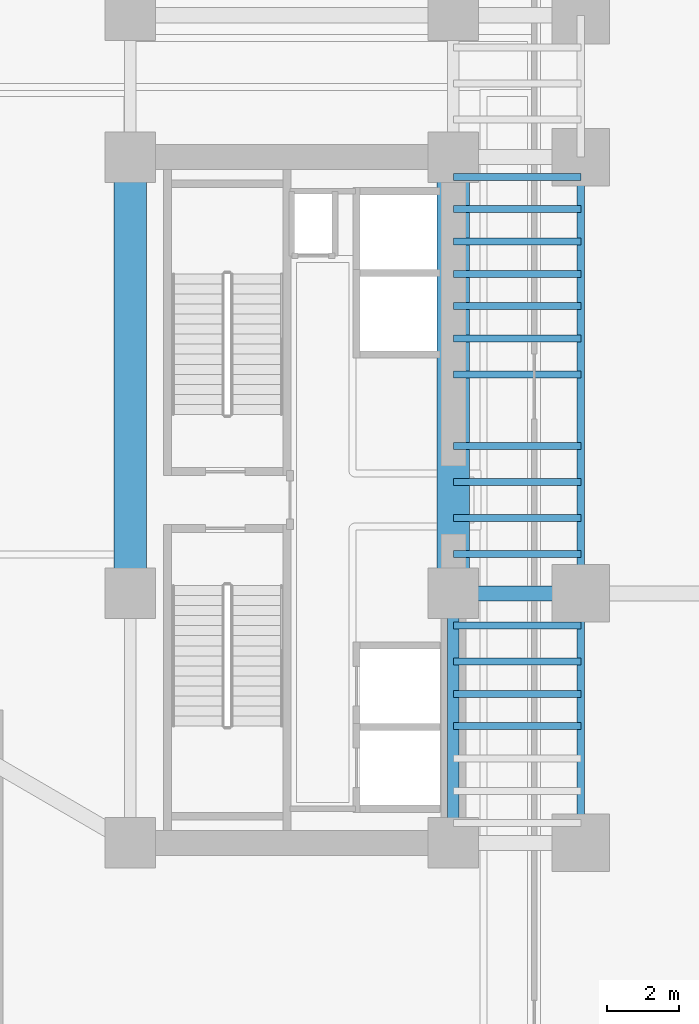
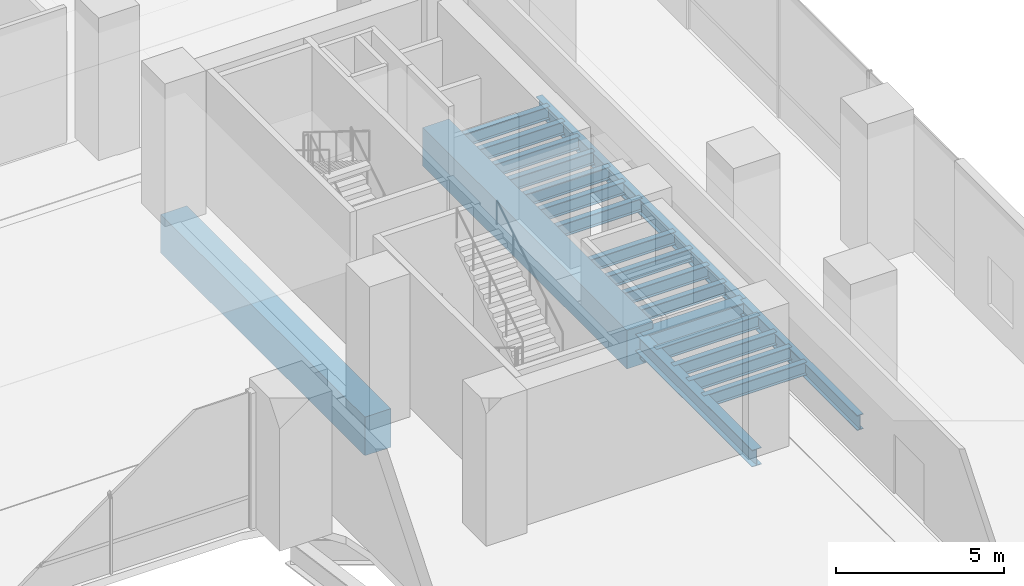
# One storey, part 11 of 39: 21 beams.
"""IFC4 building model written with IfcOpenShell, lengths in metres."""

import ifcopenshell
import ifcopenshell.guid

model = None  # the IFC model being written
_history = None  # IfcOwnerHistory: only IFC2X3 demands one
_inside = {}  # id of a spatial element -> (the spatial element, [elements in it])
_under = {}  # id of a project, library or spatial element -> (it, [spatial elements below it])
_declared = {}  # id of a project -> (the project, [libraries it declares])
_typed = {}  # id of a type object -> (the type object, [elements of that type])
_made_of = {}  # id of a material, layer set ... -> (it, [elements and type objects made of it])


def new_model(schema):
    """Start an empty IFC model of exactly this schema.

    Asked for "IFC4X3", IfcOpenShell would pick the latest addendum, in which some entities
    have other attributes; the version numbers below select the first issue.
    IFC2X3 requires an IfcOwnerHistory on every rooted entity: one is made here for all.
    """
    global model, _history
    if schema == "IFC4X3":
        model = ifcopenshell.file(schema_version=(4, 3, 0, 0))
    else:
        model = ifcopenshell.file(schema=schema)
    _inside.clear()
    _under.clear()
    _declared.clear()
    _typed.clear()
    _made_of.clear()
    _history = None
    if model.schema == "IFC2X3":
        org = make("IfcOrganization", Name="unknown")
        user = make(
            "IfcPersonAndOrganization",
            ThePerson=make("IfcPerson", FamilyName="unknown"),
            TheOrganization=org,
        )
        app = make(
            "IfcApplication",
            ApplicationDeveloper=org,
            Version="unknown",
            ApplicationFullName="unknown",
            ApplicationIdentifier="unknown",
        )
        _history = make(
            "IfcOwnerHistory",
            OwningUser=user,
            OwningApplication=app,
            ChangeAction="ADDED",
            CreationDate=0,
        )
    return model


def make(cls, **values):
    """One entity of the class cls with the attributes given. An attribute that is None is left unset."""
    return model.create_entity(
        cls, **{name: value for name, value in values.items() if value is not None}
    )


def rooted(cls, **values):
    """An entity with a GlobalId (a new one), such as an element, a storey or a relation."""
    return make(cls, GlobalId=ifcopenshell.guid.new(), OwnerHistory=_history, **values)


def si_unit(unit_type, name, prefix=None):
    """IfcSIUnit, for example si_unit("LENGTHUNIT", "METRE", prefix="MILLI")."""
    return make("IfcSIUnit", UnitType=unit_type, Prefix=prefix, Name=name)


def assignment(units):
    """IfcUnitAssignment: the units of a project."""
    return None if units is None else make("IfcUnitAssignment", Units=units)


def point(xyz):
    """IfcCartesianPoint."""
    return None if xyz is None else make("IfcCartesianPoint", Coordinates=xyz)


def direction(xyz):
    """IfcDirection."""
    return None if xyz is None else make("IfcDirection", DirectionRatios=xyz)


def frame(location, z_axis=None, x_axis=None):
    """IfcAxis2Placement3D, a coordinate frame: its origin and axes. An axis left out is left unset."""
    return make(
        "IfcAxis2Placement3D",
        Location=point(location),
        Axis=direction(z_axis),
        RefDirection=direction(x_axis),
    )


def frame_2d(location, x_axis=None):
    """IfcAxis2Placement2D, a coordinate frame in the plane: its origin and x axis."""
    return make(
        "IfcAxis2Placement2D", Location=point(location), RefDirection=direction(x_axis)
    )


def origin():
    """The frame at (0, 0, 0) with its axes left unset."""
    return frame((0.0, 0.0, 0.0))


def origin_2d():
    """The frame at (0, 0) in the plane with its x axis left unset."""
    return frame_2d((0.0, 0.0))


def place(relative_to, where):
    """IfcLocalPlacement: puts the frame where relative to a parent placement (None: the world)."""
    return make(
        "IfcLocalPlacement", PlacementRelTo=relative_to, RelativePlacement=where
    )


def context(
    kind, dimensions, precision=None, world=None, true_north=None, identifier=None
):
    """IfcGeometricRepresentationContext, for example the 3D "Model" context."""
    return make(
        "IfcGeometricRepresentationContext",
        ContextIdentifier=identifier,
        ContextType=kind,
        CoordinateSpaceDimension=dimensions,
        Precision=precision,
        WorldCoordinateSystem=world,
        TrueNorth=true_north,
    )


def subcontext(parent, identifier, kind, view, scale=None):
    """IfcGeometricRepresentationSubContext, for example "Body" below "Model"."""
    return make(
        "IfcGeometricRepresentationSubContext",
        ContextIdentifier=identifier,
        ContextType=kind,
        ParentContext=parent,
        TargetScale=scale,
        TargetView=view,
    )


def project(units=None, contexts=None):
    """IfcProject with its units and contexts."""
    return rooted(
        "IfcProject",
        Name="project",
        RepresentationContexts=contexts,
        UnitsInContext=assignment(units),
    )


def spatial(cls, under=None, at=None, **own):
    """A site, building, storey or space (cls), placed at a placement, below another one or the project."""
    s = rooted(cls, ObjectPlacement=at, **own)
    if under is not None:
        _under.setdefault(under.id(), (under, []))[1].append(s)
    return s


def profile(cls, at=None, kind="AREA", **sizes):
    """A parametric profile (cls). Its sizes go by their IFC names, for example OverallWidth=200.0."""
    return make(cls, ProfileType=kind, Position=at, **sizes)


def rectangle(**sizes):
    """IfcRectangleProfileDef."""
    return profile("IfcRectangleProfileDef", **sizes)


def i_section(**sizes):
    """IfcIShapeProfileDef."""
    return profile("IfcIShapeProfileDef", **sizes)


def extrude(swept, where, along, depth):
    """IfcExtrudedAreaSolid: the profile swept, set in the frame where, extruded along a direction by depth."""
    return make(
        "IfcExtrudedAreaSolid",
        SweptArea=swept,
        Position=where,
        ExtrudedDirection=direction(along),
        Depth=depth,
    )


def shape(context_of_items, identifier, shape_type, items):
    """IfcShapeRepresentation: the items that make up one representation, for example the "Body"."""
    return make(
        "IfcShapeRepresentation",
        ContextOfItems=context_of_items,
        RepresentationIdentifier=identifier,
        RepresentationType=shape_type,
        Items=items,
    )


def source(mapping_origin, context_of_items, identifier, shape_type, items):
    """IfcRepresentationMap: a shape defined once, which mapped items show again and again."""
    return make(
        "IfcRepresentationMap",
        MappingOrigin=mapping_origin,
        MappedRepresentation=shape(context_of_items, identifier, shape_type, items),
    )


def transform(
    local_origin,
    x_axis=None,
    y_axis=None,
    z_axis=None,
    scale=None,
    scale2=None,
    scale3=None,
    uniform=True,
):
    """IfcCartesianTransformationOperator3D, or its non-uniform kind. x_axis, y_axis, z_axis: its Axis1, 2, 3."""
    if uniform:
        return make(
            "IfcCartesianTransformationOperator3D",
            Axis1=direction(x_axis),
            Axis2=direction(y_axis),
            LocalOrigin=point(local_origin),
            Scale=scale,
            Axis3=direction(z_axis),
        )
    return make(
        "IfcCartesianTransformationOperator3DnonUniform",
        Axis1=direction(x_axis),
        Axis2=direction(y_axis),
        LocalOrigin=point(local_origin),
        Scale=scale,
        Axis3=direction(z_axis),
        Scale2=scale2,
        Scale3=scale3,
    )


def mapped(mapping_source, mapping_target):
    """IfcMappedItem: shows the shape of a source again, moved by a transform."""
    return make(
        "IfcMappedItem", MappingSource=mapping_source, MappingTarget=mapping_target
    )


def material(Name=None, Category=None):
    """IfcMaterial."""
    return make("IfcMaterial", Name=Name, Category=Category)


def material_profile(
    of_material, cross_section, Name=None, Category=None, Priority=None
):
    """IfcMaterialProfile: a cross section and its material."""
    return make(
        "IfcMaterialProfile",
        Name=Name,
        Material=of_material,
        Profile=cross_section,
        Priority=Priority,
        Category=Category,
    )


def profile_set(profiles, Name=None, composite=None):
    """IfcMaterialProfileSet."""
    return make(
        "IfcMaterialProfileSet",
        Name=Name,
        MaterialProfiles=profiles,
        CompositeProfile=composite,
    )


def made_of(thing, what):
    """Note that an element or type object is made of a material, layer set ...; save() writes the relation."""
    if what is not None:
        _made_of.setdefault(what.id(), (what, []))[1].append(thing)
    return thing


def type_object(cls, material=None, **own):
    """A type object (cls), such as IfcWallType, which elements share."""
    return made_of(rooted(cls, **own), material)


def element(
    cls,
    number,
    at=None,
    inside=None,
    cuts=None,
    type_object=None,
    material=None,
    context=None,
    identifier="Body",
    shape_type=None,
    held_by="IfcProductDefinitionShape",
    body=None,
    shapes=None,
    **own,
):
    """One element of the class cls, such as IfcWall. Its Tag is "e" and its number.

    at: its placement. inside: the storey or other place that contains it. cuts: it is an
    opening in that element (IfcRelVoidsElement). A single representation is given by context,
    identifier, shape_type and body (its items); several are given by shapes. held_by: the class
    of the entity that holds the representations. save() writes the other relations.
    """
    e = rooted(cls, Tag="e%d" % number, ObjectPlacement=at, **own)
    if body is not None:
        shapes = [shape(context, identifier, shape_type, body)]
    if shapes is not None:
        e.Representation = make(held_by, Representations=shapes)
    if inside is not None:
        _inside.setdefault(inside.id(), (inside, []))[1].append(e)
    if cuts is not None:
        rooted(
            "IfcRelVoidsElement", RelatingBuildingElement=cuts, RelatedOpeningElement=e
        )
    if type_object is not None:
        _typed.setdefault(type_object.id(), (type_object, []))[1].append(e)
    return made_of(e, material)


def aggregate(whole, parts):
    """IfcRelAggregates: a whole, such as a stair, and the parts it consists of."""
    return rooted("IfcRelAggregates", RelatingObject=whole, RelatedObjects=parts)


def save(model, path):
    """Write the relations noted so far, then the file.

    IfcRelAggregates (storeys below a building ...), IfcRelContainedInSpatialStructure (elements
    in a storey), IfcRelDefinesByType, IfcRelAssociatesMaterial and IfcRelDeclares: one each for
    every whole, place, type object, material and project.
    """
    for whole, parts in _under.values():
        aggregate(whole, parts)
    for where, things in _inside.values():
        rooted(
            "IfcRelContainedInSpatialStructure",
            RelatedElements=things,
            RelatingStructure=where,
        )
    for kind, things in _typed.values():
        rooted("IfcRelDefinesByType", RelatedObjects=things, RelatingType=kind)
    for what, things in _made_of.values():
        rooted("IfcRelAssociatesMaterial", RelatedObjects=things, RelatingMaterial=what)
    for by, libraries in _declared.values():
        rooted("IfcRelDeclares", RelatingContext=by, RelatedDefinitions=libraries)
    model.write(path)


model = new_model("IFC4")

# Units and contexts
model_context = context("Model", 3, precision=1e-05, world=origin(), true_north=direction((0.0, 1.0)))
body_context = subcontext(model_context, "Body", "Model", "MODEL_VIEW")
ifc_project = project(units=[si_unit("LENGTHUNIT", "METRE"), si_unit("AREAUNIT", "SQUARE_METRE"), si_unit("VOLUMEUNIT", "CUBIC_METRE"), si_unit("PLANEANGLEUNIT", "RADIAN"), si_unit("MASSUNIT", "GRAM", prefix="KILO")], contexts=[model_context])

# Site, building, storey
site_placement = place(None, origin())
site = spatial("IfcSite", under=ifc_project, at=site_placement, CompositionType="ELEMENT")
building_placement = place(site_placement, origin())
building = spatial("IfcBuilding", under=site, at=building_placement, Name="Valdorenza Pilgrim Sanctuary Tower", CompositionType="ELEMENT")
storey_placement = place(building_placement, frame((0.0, 0.0, 5.199951171875)))
storey = spatial("IfcBuildingStorey", under=building, at=storey_placement, Name="L01", CompositionType="ELEMENT", Elevation=5.199951171875)

# Beams
ifc_material_1 = material(Name="Concrete C60/75", Category="concrete")
ifc_material_profile_1 = material_profile(ifc_material_1, rectangle(XDim=0.89990234375, YDim=1.39990234375, at=origin_2d()), Name="RC 1400x900")
ifc_profile_set_1 = profile_set([ifc_material_profile_1], Name="Concrete C60/75")
beam_type_1 = type_object("IfcBeamType", Name="STR-BM-LNT-1400", PredefinedType="LINTEL", material=ifc_profile_set_1)
shared_shape_1 = source(origin(), body_context, "Body", "SweptSolid", [
    extrude(rectangle(XDim=0.89990234375, YDim=1.39990234375, at=origin_2d()), origin(), (0.0, 0.0, 1.0), 12.150146484375),
])
for number, where, z_axis, x_axis, name in (
    (1, (15.85009765625, -2.60009765625, -0.739990234375), (0.0, 1.0, 0.0), (-1.0, 0.0, 0.0), "L01 Core B West Coupling Lintel Girder"),
    (2, (24.85009765625, -2.60009765625, -0.739990234375), (0.0, 1.0, 0.0), (-1.0, 0.0, 0.0), "L01 Core B East Coupling Lintel Girder"),
):
    element("IfcBeam", number, at=place(storey_placement, frame(where, z_axis=z_axis, x_axis=x_axis)), inside=storey, type_object=beam_type_1, Name=name, PredefinedType="LINTEL", context=body_context, shape_type="MappedRepresentation", body=[
        mapped(shared_shape_1, transform((0.0, 0.0, 0.0), x_axis=(1.0, 0.0, 0.0), y_axis=(0.0, 1.0, 0.0), z_axis=(0.0, 0.0, 1.0), scale=1.0)),
    ])
ifc_material_2 = material(Name="Steel ASTM A992 Grade 50", Category="steel")
ifc_material_profile_2 = material_profile(ifc_material_2, i_section(OverallWidth=0.423095703125, OverallDepth=0.947998046875, WebThickness=0.02392578125, FlangeThickness=0.042724609375, at=origin_2d()), Name="W36X302")
ifc_profile_set_2 = profile_set([ifc_material_profile_2], Name="Steel ASTM A992 Grade 50")
beam_type_2 = type_object("IfcBeamType", Name="STR-BM-GRD-W36A", PredefinedType="BEAM", material=ifc_profile_set_2)
shared_shape_2 = source(origin(), body_context, "Body", "SweptSolid", [
    extrude(i_section(OverallWidth=0.423095703125, OverallDepth=0.947998046875, WebThickness=0.02392578125, FlangeThickness=0.042724609375, at=origin_2d()), origin(), (0.0, 0.0, 1.0), 3.5498046875),
])
beam_1_placement = place(storey_placement, frame((24.85009765625, -2.60009765625, -0.75390625), z_axis=(1.0, 0.0, 0.0), x_axis=(0.0, 1.0, 0.0)))
element("IfcBeam", 3, at=beam_1_placement, inside=storey, type_object=beam_type_2, Name="L01 Floor Girder WB-XE-M0", PredefinedType="BEAM", context=body_context, shape_type="MappedRepresentation", body=[
    mapped(shared_shape_2, transform((0.0, 0.0, 0.0), x_axis=(1.0, 0.0, 0.0), y_axis=(0.0, 1.0, 0.0), z_axis=(0.0, 0.0, 1.0), scale=1.0)),
])
ifc_material_profile_3 = material_profile(ifc_material_2, i_section(OverallWidth=0.323974609375, OverallDepth=0.611083984375, WebThickness=0.0126953125, FlangeThickness=0.01904296875, at=origin_2d()), Name="W24X104")
ifc_profile_set_3 = profile_set([ifc_material_profile_3], Name="Steel ASTM A992 Grade 50")
beam_type_3 = type_object("IfcBeamType", Name="STR-BM-GRD-W24B", PredefinedType="BEAM", material=ifc_profile_set_3)
shared_shape_3 = source(origin(), body_context, "Body", "SweptSolid", [
    extrude(i_section(OverallWidth=0.323974609375, OverallDepth=0.611083984375, WebThickness=0.0126953125, FlangeThickness=0.01904296875, at=origin_2d()), origin(), (0.0, 0.0, 1.0), 6.949951171875),
])
beam_2_placement = place(storey_placement, frame((24.85009765625, -9.550048828125, -0.58544921875), z_axis=(0.0, 1.0, 0.0), x_axis=(-1.0, 0.0, 0.0)))
element("IfcBeam", 4, at=beam_2_placement, inside=storey, type_object=beam_type_3, Name="L01 Core Tie Girder CB-E-S1M0", PredefinedType="BEAM", context=body_context, shape_type="MappedRepresentation", body=[
    mapped(shared_shape_3, transform((0.0, 0.0, 0.0), x_axis=(1.0, 0.0, 0.0), y_axis=(0.0, 1.0, 0.0), z_axis=(0.0, 0.0, 1.0), scale=1.0)),
])
ifc_material_profile_4 = material_profile(ifc_material_2, i_section(OverallWidth=0.214111328125, OverallDepth=0.549072265625, WebThickness=0.0146484375, FlangeThickness=0.023681640625, at=origin_2d()), Name="W21X93")
ifc_profile_set_4 = profile_set([ifc_material_profile_4], Name="Steel ASTM A992 Grade 50")
beam_type_4 = type_object("IfcBeamType", Name="STR-BM-SPN-W21A", PredefinedType="SPANDREL", material=ifc_profile_set_4)
shared_shape_4 = source(origin(), body_context, "Body", "SweptSolid", [
    extrude(i_section(OverallWidth=0.214111328125, OverallDepth=0.549072265625, WebThickness=0.0146484375, FlangeThickness=0.023681640625, at=origin_2d()), origin(), (0.0, 0.0, 1.0), 6.949951171875),
])
beam_3_placement = place(storey_placement, frame((28.39990234375, -9.550048828125, -0.554443359375), z_axis=(0.0, 1.0, 0.0), x_axis=(-1.0, 0.0, 0.0)))
element("IfcBeam", 5, at=beam_3_placement, inside=storey, type_object=beam_type_4, Name="L01 Spandrel Beam WB-E-S1M0", PredefinedType="SPANDREL", context=body_context, shape_type="MappedRepresentation", body=[
    mapped(shared_shape_4, transform((0.0, 0.0, 0.0), x_axis=(1.0, 0.0, 0.0), y_axis=(0.0, 1.0, 0.0), z_axis=(0.0, 0.0, 1.0), scale=1.0)),
])
shared_shape_5 = source(origin(), body_context, "Body", "SweptSolid", [
    extrude(i_section(OverallWidth=0.214111328125, OverallDepth=0.549072265625, WebThickness=0.0146484375, FlangeThickness=0.023681640625, at=origin_2d()), origin(), (0.0, 0.0, 1.0), 12.150146484375),
])
beam_4_placement = place(storey_placement, frame((28.39990234375, -2.60009765625, -0.554443359375), z_axis=(0.0, 1.0, 0.0), x_axis=(-1.0, 0.0, 0.0)))
element("IfcBeam", 6, at=beam_4_placement, inside=storey, type_object=beam_type_4, Name="L01 Spandrel Beam WB-E-M0N1", PredefinedType="SPANDREL", context=body_context, shape_type="MappedRepresentation", body=[
    mapped(shared_shape_5, transform((0.0, 0.0, 0.0), x_axis=(1.0, 0.0, 0.0), y_axis=(0.0, 1.0, 0.0), z_axis=(0.0, 0.0, 1.0), scale=1.0)),
])
ifc_material_profile_5 = material_profile(ifc_material_2, i_section(OverallWidth=0.193115234375, OverallDepth=0.466064453125, WebThickness=0.011474609375, FlangeThickness=0.01904296875, at=origin_2d()), Name="W18X65")
ifc_profile_set_5 = profile_set([ifc_material_profile_5], Name="Steel ASTM A992 Grade 50")
beam_type_5 = type_object("IfcBeamType", Name="STR-BM-JST-W18A", PredefinedType="JOIST", material=ifc_profile_set_5)
shared_shape_6 = source(origin(), body_context, "Body", "SweptSolid", [
    extrude(i_section(OverallWidth=0.193115234375, OverallDepth=0.466064453125, WebThickness=0.011474609375, FlangeThickness=0.01904296875, at=origin_2d()), origin(), (0.0, 0.0, 1.0), 3.5498046875),
])
for number, where, z_axis, x_axis, name in (
    (7, (24.85009765625, -6.300048828125, -0.512939453125), (1.0, 0.0, 0.0), (0.0, 1.0, 0.0), "L01 Composite Floor Joist JST-WB-4"),
    (8, (24.85009765625, -5.39990234375, -0.512939453125), (1.0, 0.0, 0.0), (0.0, 1.0, 0.0), "L01 Composite Floor Joist JST-WB-5"),
    (9, (24.85009765625, -4.5, -0.512939453125), (1.0, 0.0, 0.0), (0.0, 1.0, 0.0), "L01 Composite Floor Joist JST-WB-6"),
    (10, (24.85009765625, -3.5, -0.512939453125), (1.0, 0.0, 0.0), (0.0, 1.0, 0.0), "L01 Composite Floor Joist JST-WB-7"),
    (11, (24.85009765625, -1.5, -0.512939453125), (1.0, 0.0, 0.0), (0.0, 1.0, 0.0), "L01 Composite Floor Joist JST-WB-8"),
    (12, (24.85009765625, -0.5, -0.512939453125), (1.0, 0.0, 0.0), (0.0, 1.0, 0.0), "L01 Composite Floor Joist JST-WB-9"),
    (13, (24.85009765625, 0.5, -0.512939453125), (1.0, 0.0, 0.0), (0.0, 1.0, 0.0), "L01 Composite Floor Joist JST-WB-10"),
    (14, (24.85009765625, 1.5, -0.512939453125), (1.0, 0.0, 0.0), (0.0, 1.0, 0.0), "L01 Composite Floor Joist JST-WB-11"),
    (15, (24.85009765625, 3.5, -0.512939453125), (1.0, 0.0, 0.0), (0.0, 1.0, 0.0), "L01 Composite Floor Joist JST-WB-12"),
    (16, (24.85009765625, 4.5, -0.512939453125), (1.0, 0.0, 0.0), (0.0, 1.0, 0.0), "L01 Composite Floor Joist JST-WB-13"),
    (17, (24.85009765625, 5.39990234375, -0.512939453125), (1.0, 0.0, 0.0), (0.0, 1.0, 0.0), "L01 Composite Floor Joist JST-WB-14"),
    (18, (24.85009765625, 6.300048828125, -0.512939453125), (1.0, 0.0, 0.0), (0.0, 1.0, 0.0), "L01 Composite Floor Joist JST-WB-15"),
    (19, (24.85009765625, 7.199951171875, -0.512939453125), (1.0, 0.0, 0.0), (0.0, 1.0, 0.0), "L01 Composite Floor Joist JST-WB-16"),
    (20, (24.85009765625, 8.10009765625, -0.512939453125), (1.0, 0.0, 0.0), (0.0, 1.0, 0.0), "L01 Composite Floor Joist JST-WB-17"),
    (21, (24.85009765625, 9.0, -0.512939453125), (1.0, 0.0, 0.0), (0.0, 1.0, 0.0), "L01 Composite Floor Joist JST-WB-18"),
):
    element("IfcBeam", number, at=place(storey_placement, frame(where, z_axis=z_axis, x_axis=x_axis)), inside=storey, type_object=beam_type_5, Name=name, PredefinedType="JOIST", context=body_context, shape_type="MappedRepresentation", body=[
        mapped(shared_shape_6, transform((0.0, 0.0, 0.0), x_axis=(1.0, 0.0, 0.0), y_axis=(0.0, 1.0, 0.0), z_axis=(0.0, 0.0, 1.0), scale=1.0)),
    ])

save(model, "model.ifc")
